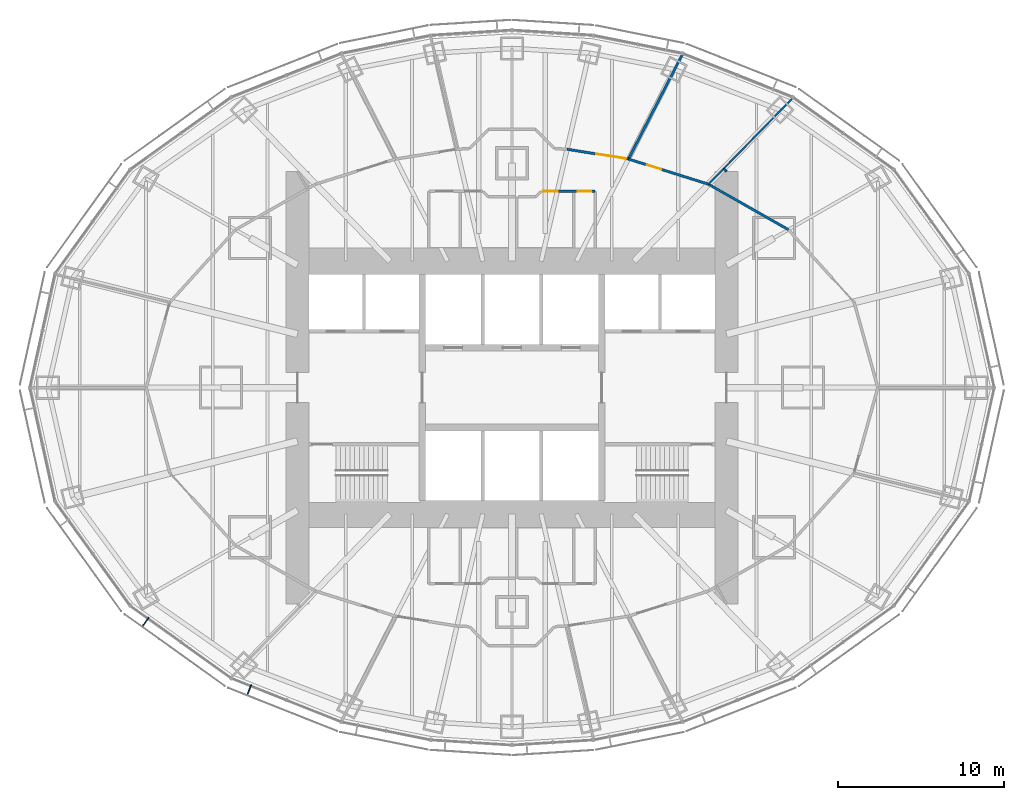
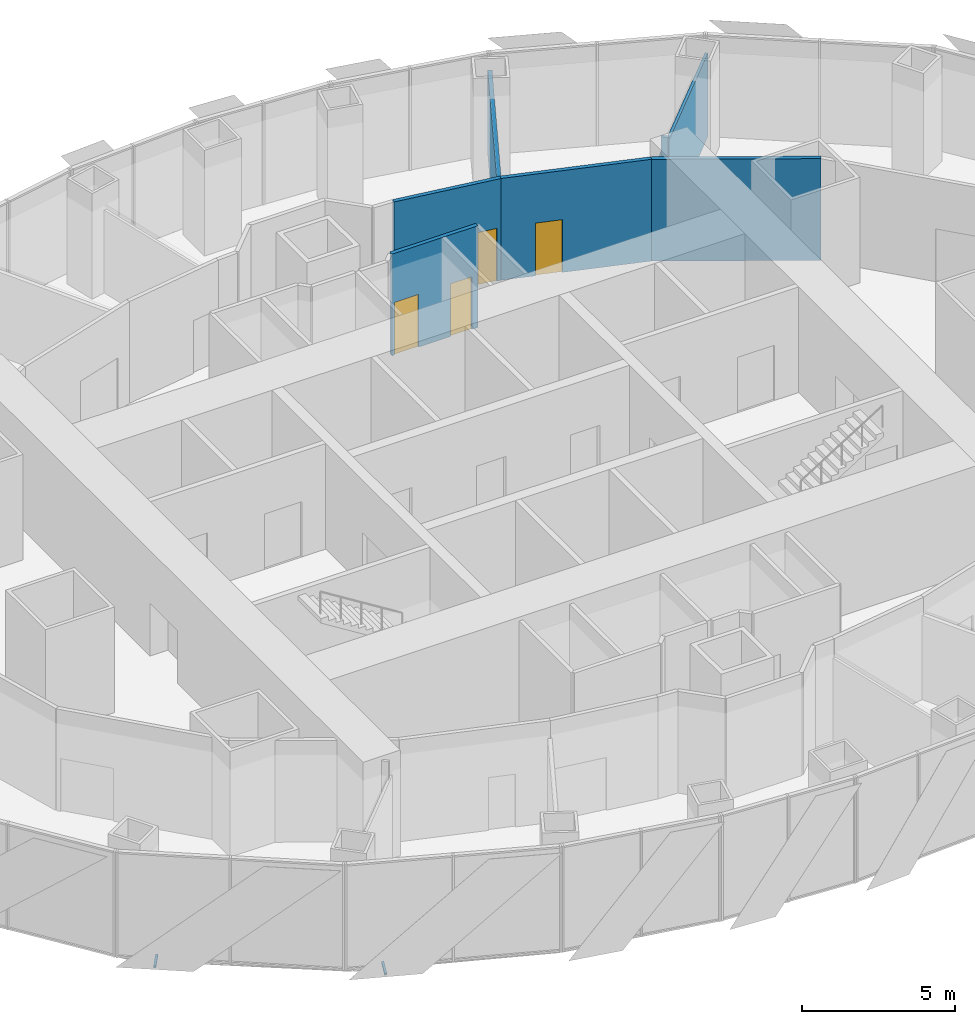
# One storey, part 13 of 18: 7 walls, 4 doors, 2 discrete accessories, 4 openings.
"""IFC4 building model written with IfcOpenShell, lengths in metres."""

from ifc_helpers import new_model, si_unit, direction, frame, frame_2d, origin, origin_2d, place, context, subcontext, project, spatial, rectangle, extrude, material, layer, layer_set, type_object, element, fill, save


model = new_model("IFC4")

# Units and contexts
model_context = context("Model", 3, precision=1e-05, world=origin(), true_north=direction((0.0, 1.0)))
body_context = subcontext(model_context, "Body", "Model", "MODEL_VIEW")
ifc_project = project(units=[si_unit("LENGTHUNIT", "METRE"), si_unit("AREAUNIT", "SQUARE_METRE"), si_unit("VOLUMEUNIT", "CUBIC_METRE"), si_unit("PLANEANGLEUNIT", "RADIAN"), si_unit("MASSUNIT", "GRAM", prefix="KILO")], contexts=[model_context])

# Site, building, storey
site_placement = place(None, origin())
site = spatial("IfcSite", under=ifc_project, at=site_placement, CompositionType="ELEMENT")
building_placement = place(site_placement, origin())
building = spatial("IfcBuilding", under=site, at=building_placement, Name="Lantaw Convention Tower", CompositionType="ELEMENT")
storey_placement = place(building_placement, frame((0.0, 0.0, 176.199951171875)))
storey = spatial("IfcBuildingStorey", under=building, at=storey_placement, Name="L41", CompositionType="ELEMENT", Elevation=176.199951171875)

# Wall
ifc_material_1 = material(Name="Gypsum board on steel studs, fire rated", Category="steel")
ifc_layer_1 = layer(ifc_material_1, 0.14990234375)
ifc_layer_set_1 = layer_set([ifc_layer_1], Name="Corridor wall 150 EI 60")
wall_type_1 = type_object("IfcWallType", Name="Corridor wall 150 EI 60", PredefinedType="PARTITIONING", material=ifc_layer_set_1)
wall_1_placement = place(storey_placement, frame((16.62255859375, 9.49853515625, 0.0), z_axis=(0.0, 0.0, 1.0), x_axis=(-0.869375991036, 0.494151177485, 0.0)))
element("IfcWall", 1, at=wall_1_placement, inside=storey, type_object=wall_type_1, Name="Corridor wall 150", PredefinedType="PARTITIONING", context=body_context, shape_type="SweptSolid", body=[
    extrude(rectangle(XDim=5.532470703125, YDim=0.14990234375, at=frame_2d((2.76611328125, 0.0))), origin(), (0.0, 0.0, 1.0), 4.050048828125),
])

# Wall, opening, door
wall_2_placement = place(storey_placement, frame((11.812744140625, 12.232421875, 0.0), z_axis=(0.0, 0.0, 1.0), x_axis=(-0.953893934057, 0.300143903101, 0.0)))
wall_2 = element("IfcWall", 2, at=wall_2_placement, inside=storey, type_object=wall_type_1, Name="Corridor wall 150", PredefinedType="PARTITIONING", context=body_context, shape_type="SweptSolid", body=[
    extrude(rectangle(XDim=5.04150390625, YDim=0.14990234375, at=frame_2d((2.520751953125, 0.0))), origin(), (0.0, 0.0, 1.0), 4.050048828125),
])
opening_1_placement = place(wall_2_placement, frame((2.98046875, 0.0, 0.0)))
opening_1 = element("IfcOpeningElement", 3, at=opening_1_placement, cuts=wall_2, Name="Opening L41.23", PredefinedType="OPENING", context=body_context, shape_type="SweptSolid", body=[
    extrude(rectangle(XDim=0.89990234375, YDim=2.10009765625, at=frame_2d((0.449951171875, 1.050048828125))), frame((0.0, 0.0849609375, 0.0), z_axis=(0.0, -1.0, 0.0), x_axis=(1.0, 0.0, 0.0)), (0.0, 0.0, 1.0), 0.169921875),
])
ifc_material_2 = material(Name="Steel, fire rated", Category="steel")
door_type_1 = type_object("IfcDoorType", Name="Office door 900 FD30", OperationType="SINGLE_SWING_LEFT", PredefinedType="DOOR", material=ifc_material_2)
door_1_placement = place(opening_1_placement, origin())
door_1 = element("IfcDoor", 4, at=door_1_placement, inside=storey, type_object=door_type_1, Name="Meeting room door", OperationType="SINGLE_SWING_LEFT", OverallHeight=2.10009765625, OverallWidth=0.89990234375, PredefinedType="DOOR", context=body_context, shape_type="SweptSolid", body=[
    extrude(rectangle(XDim=0.89990234375, YDim=2.10009765625, at=frame_2d((0.449951171875, 1.050048828125))), frame((0.0, 0.02490234375, 0.0), z_axis=(0.0, -1.0, 0.0), x_axis=(1.0, 0.0, 0.0)), (0.0, 0.0, 1.0), 0.050048828125),
])
fill(opening_1, door_1)

wall_3_placement = place(storey_placement, frame((7.003662109375, 13.74560546875, 0.0), z_axis=(0.0, 0.0, 1.0), x_axis=(-0.987511396594, 0.157547585181, 0.0)))
wall_3 = element("IfcWall", 5, at=wall_3_placement, inside=storey, type_object=wall_type_1, Name="Corridor wall 150", PredefinedType="PARTITIONING", context=body_context, shape_type="SweptSolid", body=[
    extrude(rectangle(XDim=3.74072265625, YDim=0.14990234375, at=frame_2d((1.870361328125, 0.0))), origin(), (0.0, 0.0, 1.0), 4.050048828125),
])
opening_2_placement = place(wall_3_placement, frame((0.14990234375, 0.0, 0.0)))
opening_2 = element("IfcOpeningElement", 6, at=opening_2_placement, cuts=wall_3, Name="Opening L41.24", PredefinedType="OPENING", context=body_context, shape_type="SweptSolid", body=[
    extrude(rectangle(XDim=1.800048828125, YDim=2.10009765625, at=frame_2d((0.89990234375, 1.050048828125))), frame((0.0, 0.0849609375, 0.0), z_axis=(0.0, -1.0, 0.0), x_axis=(1.0, 0.0, 0.0)), (0.0, 0.0, 1.0), 0.169921875),
])
door_type_2 = type_object("IfcDoorType", Name="Office double door 1800 FD30", OperationType="DOUBLE_DOOR_DOUBLE_SWING", PredefinedType="DOOR", material=ifc_material_2)
door_2_placement = place(opening_2_placement, origin())
door_2 = element("IfcDoor", 7, at=door_2_placement, inside=storey, type_object=door_type_2, Name="Tenant suite door", OperationType="DOUBLE_DOOR_DOUBLE_SWING", OverallHeight=2.10009765625, OverallWidth=1.800048828125, PredefinedType="DOOR", context=body_context, shape_type="SweptSolid", body=[
    extrude(rectangle(XDim=1.800048828125, YDim=2.10009765625, at=frame_2d((0.89990234375, 1.050048828125))), frame((0.0, 0.02490234375, 0.0), z_axis=(0.0, -1.0, 0.0), x_axis=(1.0, 0.0, 0.0)), (0.0, 0.0, 1.0), 0.050048828125),
])
fill(opening_2, door_2)

# Walls
ifc_material_3 = material(Name="Gypsum board on steel studs, acoustic", Category="steel")
ifc_layer_2 = layer(ifc_material_3, 0.10009765625)
ifc_layer_set_2 = layer_set([ifc_layer_2], Name="Office partition 100")
wall_type_2 = type_object("IfcWallType", Name="Office partition 100", PredefinedType="PARTITIONING", material=ifc_layer_set_2)
wall_4_placement = place(storey_placement, frame((16.88232421875, 17.413818359375, 0.0), z_axis=(0.0, 0.0, 1.0), x_axis=(-0.699352142517, -0.714777294517, 0.0)))
element("IfcWall", 8, at=wall_4_placement, inside=storey, type_object=wall_type_2, Name="Office partition 100", PredefinedType="PARTITIONING", context=body_context, shape_type="SweptSolid", body=[
    extrude(rectangle(XDim=7.2490234375, YDim=0.10009765625, at=frame_2d((3.62451171875, 0.0))), origin(), (0.0, 0.0, 1.0), 3.321044921875),
])
wall_5_placement = place(storey_placement, frame((12.89990234375, 13.0, 0.0), z_axis=(0.0, 0.0, 1.0), x_axis=(-0.714690391061, 0.699440951707, 0.0)))
element("IfcWall", 9, at=wall_5_placement, inside=storey, type_object=wall_type_2, Name="Office partition 100", PredefinedType="PARTITIONING", context=body_context, shape_type="SweptSolid", body=[
    extrude(rectangle(XDim=0.240234375, YDim=0.10009765625, at=frame_2d((0.1201171875, 0.0))), origin(), (0.0, 0.0, 1.0), 4.050048828125),
])
ifc_layer_3 = layer(ifc_material_1, 0.14990234375)
ifc_layer_set_3 = layer_set([ifc_layer_3], Name="Tenant separation wall 150 EI 60")
wall_type_3 = type_object("IfcWallType", Name="Tenant separation wall 150 EI 60", PredefinedType="PARTITIONING", material=ifc_layer_set_3)
wall_6_placement = place(storey_placement, frame((10.25341796875, 20.0517578125, 0.0), z_axis=(0.0, 0.0, 1.0), x_axis=(-0.458082677592, -0.888909590729, 0.0)))
element("IfcWall", 10, at=wall_6_placement, inside=storey, type_object=wall_type_3, Name="Tenant separation wall 150", PredefinedType="PARTITIONING", context=body_context, shape_type="SweptSolid", body=[
    extrude(rectangle(XDim=7.09423828125, YDim=0.14990234375, at=frame_2d((3.547119140625, 0.0))), origin(), (0.0, 0.0, 1.0), 3.34912109375),
])

# Wall, openings, doors
ifc_material_4 = material(Name="Concrete blockwork", Category="masonry")
ifc_layer_4 = layer(ifc_material_4, 0.14990234375)
ifc_layer_set_4 = layer_set([ifc_layer_4], Name="WC wall 150")
wall_type_4 = type_object("IfcWallType", Name="WC wall 150", PredefinedType="SOLIDWALL", material=ifc_layer_set_4)
wall_7_placement = place(storey_placement, frame((1.763671875, 11.800048828125, 0.0), z_axis=(0.0, 0.0, 1.0), x_axis=(1.0, 0.0, 0.0)))
wall_7 = element("IfcWall", 11, at=wall_7_placement, inside=storey, type_object=wall_type_4, Name="WC wall 150", PredefinedType="SOLIDWALL", context=body_context, shape_type="SweptSolid", body=[
    extrude(rectangle(XDim=3.236328125, YDim=0.14990234375, at=frame_2d((1.6181640625, 0.0))), origin(), (0.0, 0.0, 1.0), 4.050048828125),
])
opening_3_placement = place(wall_7_placement, frame((0.10009765625, 0.0, 0.0)))
opening_3 = element("IfcOpeningElement", 12, at=opening_3_placement, cuts=wall_7, Name="Opening L41.16", PredefinedType="OPENING", context=body_context, shape_type="SweptSolid", body=[
    extrude(rectangle(XDim=0.89990234375, YDim=2.10009765625, at=frame_2d((0.449951171875, 1.050048828125))), frame((0.0, 0.0849609375, 0.0), z_axis=(0.0, -1.0, 0.0), x_axis=(1.0, 0.0, 0.0)), (0.0, 0.0, 1.0), 0.169921875),
])
opening_4_placement = place(wall_7_placement, frame((2.199951171875, 0.0, 0.0)))
opening_4 = element("IfcOpeningElement", 13, at=opening_4_placement, cuts=wall_7, Name="Opening L41.17", PredefinedType="OPENING", context=body_context, shape_type="SweptSolid", body=[
    extrude(rectangle(XDim=0.800048828125, YDim=2.10009765625, at=frame_2d((0.39990234375, 1.050048828125))), frame((0.0, 0.0849609375, 0.0), z_axis=(0.0, -1.0, 0.0), x_axis=(1.0, 0.0, 0.0)), (0.0, 0.0, 1.0), 0.169921875),
])
ifc_material_5 = material(Name="Timber", Category="wood")
door_type_3 = type_object("IfcDoorType", Name="WC door 800", OperationType="SINGLE_SWING_LEFT", PredefinedType="DOOR", material=ifc_material_5)
door_3_placement = place(opening_4_placement, origin())
door_3 = element("IfcDoor", 14, at=door_3_placement, inside=storey, type_object=door_type_3, Name="Cleaner's store door", OperationType="SINGLE_SWING_LEFT", OverallHeight=2.10009765625, OverallWidth=0.800048828125, PredefinedType="DOOR", context=body_context, shape_type="SweptSolid", body=[
    extrude(rectangle(XDim=0.800048828125, YDim=2.10009765625, at=frame_2d((0.39990234375, 1.050048828125))), frame((0.0, 0.02490234375, 0.0), z_axis=(0.0, -1.0, 0.0), x_axis=(1.0, 0.0, 0.0)), (0.0, 0.0, 1.0), 0.050048828125),
])
fill(opening_4, door_3)
door_type_4 = type_object("IfcDoorType", Name="WC door 900", OperationType="SINGLE_SWING_LEFT", PredefinedType="DOOR", material=ifc_material_5)
door_4_placement = place(opening_3_placement, origin())
door_4 = element("IfcDoor", 15, at=door_4_placement, inside=storey, type_object=door_type_4, Name="Female WC door", OperationType="SINGLE_SWING_LEFT", OverallHeight=2.10009765625, OverallWidth=0.89990234375, PredefinedType="DOOR", context=body_context, shape_type="SweptSolid", body=[
    extrude(rectangle(XDim=0.89990234375, YDim=2.10009765625, at=frame_2d((0.449951171875, 1.050048828125))), frame((0.0, 0.02490234375, 0.0), z_axis=(0.0, -1.0, 0.0), x_axis=(1.0, 0.0, 0.0)), (0.0, 0.0, 1.0), 0.050048828125),
])
fill(opening_3, door_4)

# Discrete accessories
for number, where, z_axis, x_axis, name in (
    (16, (-22.044189453125, -14.10546875, -0.114990234375), (0.0, 0.0, 1.0), (0.813208325995, -0.581972695693, 0.0), "Screen bracket"),
    (17, (-15.802978515625, -18.18798828125, -0.114990234375), (0.0, 0.0, 1.0), (0.929547687544, -0.368701907483, 0.0), "Screen bracket"),
):
    element("IfcDiscreteAccessory", number, at=place(storey_placement, frame(where, z_axis=z_axis, x_axis=x_axis)), inside=storey, Name=name, PredefinedType="BRACKET", context=body_context, shape_type="SweptSolid", body=[
        extrude(rectangle(XDim=0.080078125, YDim=0.68798828125, at=origin_2d()), origin(), (0.0, 0.0, 1.0), 0.080078125),
    ])

save(model, "model.ifc")
